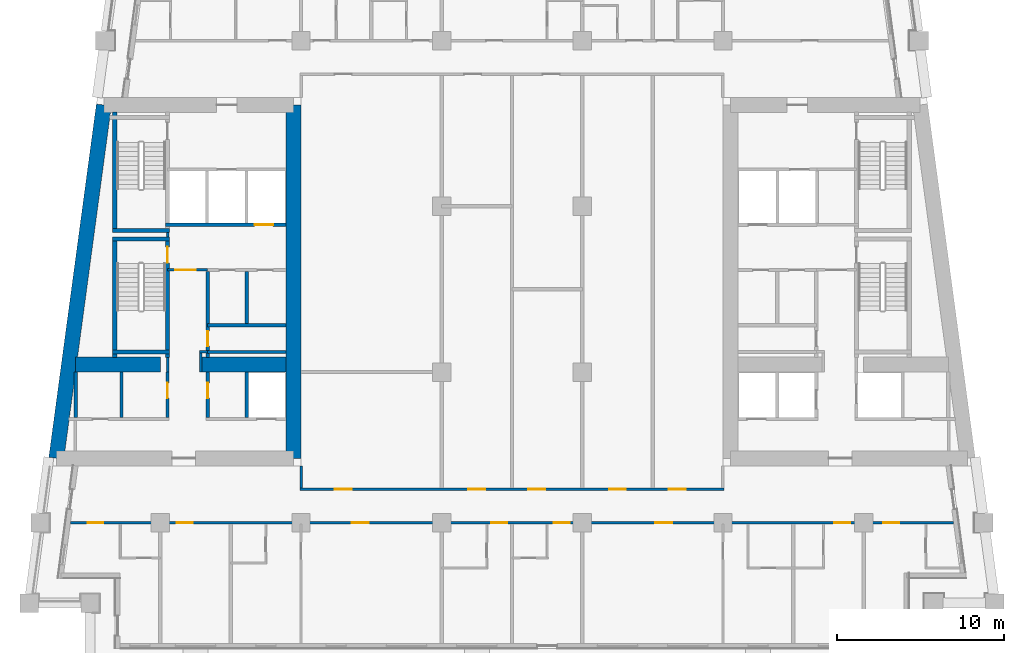
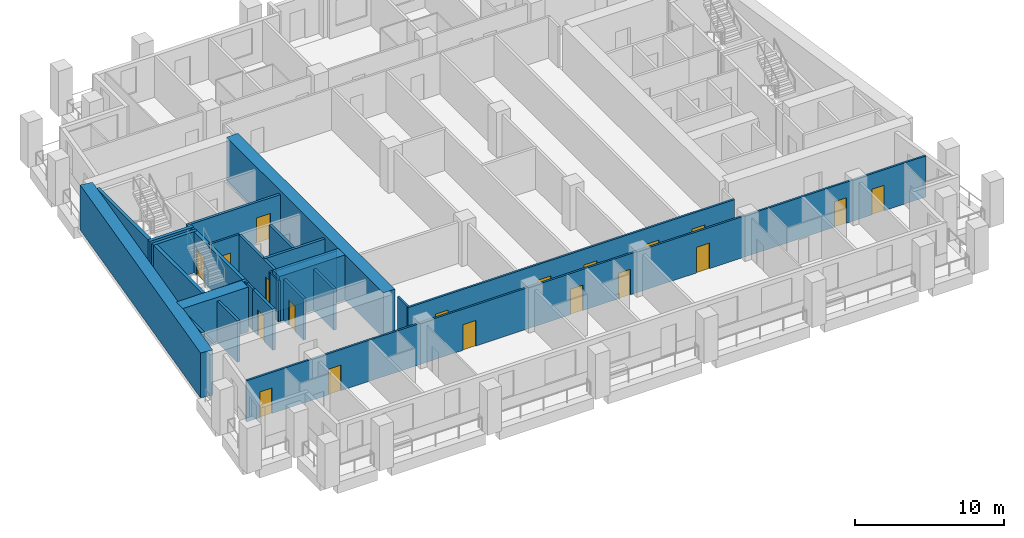
# One storey, part 3 of 12: 28 walls, 19 doors, 19 openings.
"""IFC4 building model written with IfcOpenShell, lengths in metres."""

from ifc_helpers import new_model, si_unit, direction, frame, frame_2d, origin, place, context, subcontext, project, spatial, rectangle, extrude, material, layer, layer_set, type_object, element, fill, save


model = new_model("IFC4")

# Units and contexts
model_context = context("Model", 3, precision=1e-05, world=origin(), true_north=direction((0.0, 1.0)))
body_context = subcontext(model_context, "Body", "Model", "MODEL_VIEW")
ifc_project = project(units=[si_unit("LENGTHUNIT", "METRE"), si_unit("AREAUNIT", "SQUARE_METRE"), si_unit("VOLUMEUNIT", "CUBIC_METRE"), si_unit("PLANEANGLEUNIT", "RADIAN"), si_unit("MASSUNIT", "GRAM", prefix="KILO")], contexts=[model_context])

# Site, building, storey
site_placement = place(None, origin())
site = spatial("IfcSite", under=ifc_project, at=site_placement, CompositionType="ELEMENT")
building_placement = place(site_placement, origin())
building = spatial("IfcBuilding", under=site, at=building_placement, Name="Candeia Pilgrim Tower and Theatre", CompositionType="ELEMENT")
storey_placement = place(building_placement, frame((0.0, 0.0, 162.60009765625)))
storey = spatial("IfcBuildingStorey", under=building, at=storey_placement, Name="L38", CompositionType="ELEMENT", Elevation=162.60009765625)

# Walls
ifc_material_1 = material(Name="Concrete C60/75", Category="concrete")
ifc_layer_1 = layer(ifc_material_1, 0.89990234375)
ifc_layer_set_1 = layer_set([ifc_layer_1], Name="Core wall 900 C60/75")
wall_type_1 = type_object("IfcWallType", Name="Core wall 900 C60/75", PredefinedType="SHEAR", material=ifc_layer_set_1)
wall_1_placement = place(storey_placement, frame((100.35009765625, 131.949951171875, 0.0), z_axis=(0.0, 0.0, 1.0), x_axis=(0.0, -1.0, 0.0)))
element("IfcWall", 1, at=wall_1_placement, inside=storey, type_object=wall_type_1, Name="Core wall W2", PredefinedType="SHEAR", context=body_context, shape_type="SweptSolid", body=[
    extrude(rectangle(XDim=21.099853515625, YDim=0.89990234375, at=frame_2d((10.5498046875, 0.0))), origin(), (0.0, 0.0, 1.0), 3.699951171875),
])
wall_2_placement = place(storey_placement, frame((86.183837890625, 110.85009765625, 0.0), z_axis=(0.0, 0.0, 1.0), x_axis=(0.133410495943, 0.991060865725, 0.0)))
element("IfcWall", 2, at=wall_2_placement, inside=storey, type_object=wall_type_1, Name="Core wall W4", PredefinedType="SHEAR", context=body_context, shape_type="SweptSolid", body=[
    extrude(rectangle(XDim=21.290283203125, YDim=0.89990234375, at=frame_2d((10.64501953125, 0.0))), origin(), (0.0, 0.0, 1.0), 3.699951171875),
])
wall_3_placement = place(storey_placement, frame((87.322998046875, 116.449951171875, 0.0), z_axis=(0.0, 0.0, 1.0), x_axis=(1.0, 0.0, 0.0)))
element("IfcWall", 3, at=wall_3_placement, inside=storey, type_object=wall_type_1, Name="Core wall W5", PredefinedType="SHEAR", context=body_context, shape_type="SweptSolid", body=[
    extrude(rectangle(XDim=5.076904296875, YDim=0.89990234375, at=frame_2d((2.53857421875, 0.0))), origin(), (0.0, 0.0, 1.0), 3.699951171875),
])
wall_4_placement = place(storey_placement, frame((94.800048828125, 116.449951171875, 0.0), z_axis=(0.0, 0.0, 1.0), x_axis=(1.0, 0.0, 0.0)))
element("IfcWall", 4, at=wall_4_placement, inside=storey, type_object=wall_type_1, Name="Core wall W6", PredefinedType="SHEAR", context=body_context, shape_type="SweptSolid", body=[
    extrude(rectangle(XDim=5.099853515625, YDim=0.89990234375, at=frame_2d((2.5498046875, 0.0))), origin(), (0.0, 0.0, 1.0), 3.699951171875),
])
ifc_material_2 = material(Name="Gypsum board partition on steel studs", Category="steel")
ifc_layer_2 = layer(ifc_material_2, 0.14990234375)
ifc_layer_set_2 = layer_set([ifc_layer_2], Name="PW-150 lobby wall")
wall_type_2 = type_object("IfcWallType", Name="PW-150 lobby wall", PredefinedType="PARTITIONING", material=ifc_layer_set_2)
wall_5_placement = place(storey_placement, frame((94.72509765625, 117.199951171875, 0.0), z_axis=(0.0, 0.0, 1.0), x_axis=(1.0, 0.0, 0.0)))
element("IfcWall", 5, at=wall_5_placement, inside=storey, type_object=wall_type_2, Name="Lobby wall L38-016", PredefinedType="PARTITIONING", context=body_context, shape_type="SweptSolid", body=[
    extrude(rectangle(XDim=0.501953125, YDim=0.14990234375, at=frame_2d((0.2509765625, 0.0))), origin(), (0.0, 0.0, 1.0), 3.3798828125),
])

# Wall, opening, door
wall_6_placement = place(storey_placement, frame((92.826904296875, 122.10009765625, 0.0), z_axis=(0.0, 0.0, 1.0), x_axis=(1.0, 0.0, 0.0)))
wall_6 = element("IfcWall", 6, at=wall_6_placement, inside=storey, type_object=wall_type_2, Name="Lobby wall L38-025", PredefinedType="PARTITIONING", context=body_context, shape_type="SweptSolid", body=[
    extrude(rectangle(XDim=2.400146484375, YDim=0.14990234375, at=frame_2d((1.2001953125, 0.0))), origin(), (0.0, 0.0, 1.0), 3.3798828125),
])
opening_1_placement = place(wall_6_placement, frame((0.47509765625, 0.0, 0.0)))
opening_1 = element("IfcOpeningElement", 7, at=opening_1_placement, cuts=wall_6, Name="Opening L38-D001", PredefinedType="OPENING", context=body_context, shape_type="SweptSolid", body=[
    extrude(rectangle(XDim=1.199951171875, YDim=2.10009765625, at=frame_2d((0.60009765625, 1.050048828125))), frame((0.0, 0.0849609375, 0.0), z_axis=(0.0, -1.0, 0.0), x_axis=(1.0, 0.0, 0.0)), (0.0, 0.0, 1.0), 0.169921875),
])
ifc_material_3 = material(Name="Steel fire door set", Category="steel")
door_type_1 = type_object("IfcDoorType", Name="D-1200-FD60", OperationType="NOTDEFINED", PredefinedType="DOOR", material=ifc_material_3)
door_1_placement = place(opening_1_placement, origin())
door_1 = element("IfcDoor", 8, at=door_1_placement, inside=storey, type_object=door_type_1, Name="Door L38-D001", OperationType="SINGLE_SWING_LEFT", OverallHeight=2.10009765625, OverallWidth=1.199951171875, PredefinedType="DOOR", context=body_context, shape_type="SweptSolid", body=[
    extrude(rectangle(XDim=1.199951171875, YDim=2.10009765625, at=frame_2d((0.60009765625, 1.050048828125))), frame((0.0, 0.02490234375, 0.0), z_axis=(0.0, -1.0, 0.0), x_axis=(1.0, 0.0, 0.0)), (0.0, 0.0, 1.0), 0.050048828125),
])
fill(opening_1, door_1)

# Walls
wall_7_placement = place(storey_placement, frame((92.826904296875, 116.0, 0.0), z_axis=(0.0, 0.0, 1.0), x_axis=(0.0, 1.0, 0.0)))
element("IfcWall", 9, at=wall_7_placement, inside=storey, type_object=wall_type_2, Name="Lobby wall L38-056", PredefinedType="PARTITIONING", context=body_context, shape_type="SweptSolid", body=[
    extrude(rectangle(XDim=0.8701171875, YDim=0.14990234375, at=frame_2d((0.43505859375, 0.0))), origin(), (0.0, 0.0, 1.0), 3.3798828125),
])
wall_8_placement = place(storey_placement, frame((92.826904296875, 124.074951171875, 0.0), z_axis=(0.0, 0.0, 1.0), x_axis=(0.0, 1.0, 0.0)))
element("IfcWall", 10, at=wall_8_placement, inside=storey, type_object=wall_type_2, Name="Lobby wall L38-057", PredefinedType="PARTITIONING", context=body_context, shape_type="SweptSolid", body=[
    extrude(rectangle(XDim=0.25, YDim=0.14990234375, at=frame_2d((0.125, 0.0))), origin(), (0.0, 0.0, 1.0), 3.3798828125),
])
wall_9_placement = place(storey_placement, frame((94.800048828125, 116.0, 0.0), z_axis=(0.0, 0.0, 1.0), x_axis=(0.0, 1.0, 0.0)))
element("IfcWall", 11, at=wall_9_placement, inside=storey, type_object=wall_type_2, Name="Lobby wall L38-061", PredefinedType="PARTITIONING", context=body_context, shape_type="SweptSolid", body=[
    extrude(rectangle(XDim=1.125, YDim=0.14990234375, at=frame_2d((0.5625, 0.0))), origin(), (0.0, 0.0, 1.0), 3.3798828125),
])

# Wall, openings, doors
ifc_layer_3 = layer(ifc_material_2, 0.14990234375)
ifc_layer_set_3 = layer_set([ifc_layer_3], Name="PW-150 unit wall")
wall_type_3 = type_object("IfcWallType", Name="PW-150 unit wall", PredefinedType="PARTITIONING", material=ifc_layer_set_3)
wall_10_placement = place(storey_placement, frame((87.017578125, 107.0, 0.0), z_axis=(0.0, 0.0, 1.0), x_axis=(1.0, 0.0, 0.0)))
wall_10 = element("IfcWall", 12, at=wall_10_placement, inside=storey, type_object=wall_type_3, Name="Unit wall L38-007", PredefinedType="PARTITIONING", context=body_context, shape_type="SweptSolid", body=[
    extrude(rectangle(XDim=52.7646484375, YDim=0.14990234375, at=frame_2d((26.38232421875, 0.0))), origin(), (0.0, 0.0, 1.0), 3.3798828125),
])
opening_2_placement = place(wall_10_placement, frame((1.0322265625, 0.0, 0.0)))
opening_2 = element("IfcOpeningElement", 13, at=opening_2_placement, cuts=wall_10, Name="Opening L38-D017", PredefinedType="OPENING", context=body_context, shape_type="SweptSolid", body=[
    extrude(rectangle(XDim=0.949951171875, YDim=2.10009765625, at=frame_2d((0.47509765625, 1.050048828125))), frame((0.0, 0.0849609375, 0.0), z_axis=(0.0, -1.0, 0.0), x_axis=(1.0, 0.0, 0.0)), (0.0, 0.0, 1.0), 0.169921875),
])
opening_3_placement = place(wall_10_placement, frame((6.369384765625, 0.0, 0.0)))
opening_3 = element("IfcOpeningElement", 14, at=opening_3_placement, cuts=wall_10, Name="Opening L38-D019", PredefinedType="OPENING", context=body_context, shape_type="SweptSolid", body=[
    extrude(rectangle(XDim=0.949951171875, YDim=2.10009765625, at=frame_2d((0.47509765625, 1.050048828125))), frame((0.0, 0.0849609375, 0.0), z_axis=(0.0, -1.0, 0.0), x_axis=(1.0, 0.0, 0.0)), (0.0, 0.0, 1.0), 0.169921875),
])
opening_4_placement = place(wall_10_placement, frame((16.812255859375, 0.0, 0.0)))
opening_4 = element("IfcOpeningElement", 15, at=opening_4_placement, cuts=wall_10, Name="Opening L38-D020", PredefinedType="OPENING", context=body_context, shape_type="SweptSolid", body=[
    extrude(rectangle(XDim=1.0, YDim=2.10009765625, at=frame_2d((0.5, 1.050048828125))), frame((0.0, 0.0849609375, 0.0), z_axis=(0.0, -1.0, 0.0), x_axis=(1.0, 0.0, 0.0)), (0.0, 0.0, 1.0), 0.169921875),
])
opening_5_placement = place(wall_10_placement, frame((25.1572265625, 0.0, 0.0)))
opening_5 = element("IfcOpeningElement", 16, at=opening_5_placement, cuts=wall_10, Name="Opening L38-D023", PredefinedType="OPENING", context=body_context, shape_type="SweptSolid", body=[
    extrude(rectangle(XDim=0.949951171875, YDim=2.10009765625, at=frame_2d((0.47509765625, 1.050048828125))), frame((0.0, 0.0849609375, 0.0), z_axis=(0.0, -1.0, 0.0), x_axis=(1.0, 0.0, 0.0)), (0.0, 0.0, 1.0), 0.169921875),
])
opening_6_placement = place(wall_10_placement, frame((28.8671875, 0.0, 0.0)))
opening_6 = element("IfcOpeningElement", 17, at=opening_6_placement, cuts=wall_10, Name="Opening L38-D025", PredefinedType="OPENING", context=body_context, shape_type="SweptSolid", body=[
    extrude(rectangle(XDim=0.949951171875, YDim=2.10009765625, at=frame_2d((0.47509765625, 1.050048828125))), frame((0.0, 0.0849609375, 0.0), z_axis=(0.0, -1.0, 0.0), x_axis=(1.0, 0.0, 0.0)), (0.0, 0.0, 1.0), 0.169921875),
])
opening_7_placement = place(wall_10_placement, frame((34.952392578125, 0.0, 0.0)))
opening_7 = element("IfcOpeningElement", 18, at=opening_7_placement, cuts=wall_10, Name="Opening L38-D027", PredefinedType="OPENING", context=body_context, shape_type="SweptSolid", body=[
    extrude(rectangle(XDim=1.0, YDim=2.10009765625, at=frame_2d((0.5, 1.050048828125))), frame((0.0, 0.0849609375, 0.0), z_axis=(0.0, -1.0, 0.0), x_axis=(1.0, 0.0, 0.0)), (0.0, 0.0, 1.0), 0.169921875),
])
opening_8_placement = place(wall_10_placement, frame((45.63232421875, 0.0, 0.0)))
opening_8 = element("IfcOpeningElement", 19, at=opening_8_placement, cuts=wall_10, Name="Opening L38-D030", PredefinedType="OPENING", context=body_context, shape_type="SweptSolid", body=[
    extrude(rectangle(XDim=0.949951171875, YDim=2.10009765625, at=frame_2d((0.47509765625, 1.050048828125))), frame((0.0, 0.0849609375, 0.0), z_axis=(0.0, -1.0, 0.0), x_axis=(1.0, 0.0, 0.0)), (0.0, 0.0, 1.0), 0.169921875),
])
opening_9_placement = place(wall_10_placement, frame((48.560302734375, 0.0, 0.0)))
opening_9 = element("IfcOpeningElement", 20, at=opening_9_placement, cuts=wall_10, Name="Opening L38-D032", PredefinedType="OPENING", context=body_context, shape_type="SweptSolid", body=[
    extrude(rectangle(XDim=0.949951171875, YDim=2.10009765625, at=frame_2d((0.47509765625, 1.050048828125))), frame((0.0, 0.0849609375, 0.0), z_axis=(0.0, -1.0, 0.0), x_axis=(1.0, 0.0, 0.0)), (0.0, 0.0, 1.0), 0.169921875),
])
door_type_2 = type_object("IfcDoorType", Name="D-1000-FD30S", OperationType="NOTDEFINED", PredefinedType="DOOR", material=ifc_material_3)
door_2_placement = place(opening_4_placement, origin())
door_2 = element("IfcDoor", 21, at=door_2_placement, inside=storey, type_object=door_type_2, Name="Door L38-D020", OperationType="SINGLE_SWING_RIGHT", OverallHeight=2.10009765625, OverallWidth=1.0, PredefinedType="DOOR", context=body_context, shape_type="SweptSolid", body=[
    extrude(rectangle(XDim=1.0, YDim=2.10009765625, at=frame_2d((0.5, 1.050048828125))), frame((0.0, 0.02490234375, 0.0), z_axis=(0.0, -1.0, 0.0), x_axis=(1.0, 0.0, 0.0)), (0.0, 0.0, 1.0), 0.050048828125),
])
fill(opening_4, door_2)
door_3_placement = place(opening_7_placement, origin())
door_3 = element("IfcDoor", 22, at=door_3_placement, inside=storey, type_object=door_type_2, Name="Door L38-D027", OperationType="SINGLE_SWING_LEFT", OverallHeight=2.10009765625, OverallWidth=1.0, PredefinedType="DOOR", context=body_context, shape_type="SweptSolid", body=[
    extrude(rectangle(XDim=1.0, YDim=2.10009765625, at=frame_2d((0.5, 1.050048828125))), frame((0.0, 0.02490234375, 0.0), z_axis=(0.0, -1.0, 0.0), x_axis=(1.0, 0.0, 0.0)), (0.0, 0.0, 1.0), 0.050048828125),
])
fill(opening_7, door_3)
door_type_3 = type_object("IfcDoorType", Name="D-950-FD30S", OperationType="NOTDEFINED", PredefinedType="DOOR", material=ifc_material_3)
door_4_placement = place(opening_2_placement, origin())
door_4 = element("IfcDoor", 23, at=door_4_placement, inside=storey, type_object=door_type_3, Name="Door L38-D017", OperationType="SINGLE_SWING_LEFT", OverallHeight=2.10009765625, OverallWidth=0.949951171875, PredefinedType="DOOR", context=body_context, shape_type="SweptSolid", body=[
    extrude(rectangle(XDim=0.949951171875, YDim=2.10009765625, at=frame_2d((0.47509765625, 1.050048828125))), frame((0.0, 0.02490234375, 0.0), z_axis=(0.0, -1.0, 0.0), x_axis=(1.0, 0.0, 0.0)), (0.0, 0.0, 1.0), 0.050048828125),
])
fill(opening_2, door_4)
door_5_placement = place(opening_3_placement, origin())
door_5 = element("IfcDoor", 24, at=door_5_placement, inside=storey, type_object=door_type_3, Name="Door L38-D019", OperationType="SINGLE_SWING_LEFT", OverallHeight=2.10009765625, OverallWidth=0.949951171875, PredefinedType="DOOR", context=body_context, shape_type="SweptSolid", body=[
    extrude(rectangle(XDim=0.949951171875, YDim=2.10009765625, at=frame_2d((0.47509765625, 1.050048828125))), frame((0.0, 0.02490234375, 0.0), z_axis=(0.0, -1.0, 0.0), x_axis=(1.0, 0.0, 0.0)), (0.0, 0.0, 1.0), 0.050048828125),
])
fill(opening_3, door_5)
door_6_placement = place(opening_5_placement, origin())
door_6 = element("IfcDoor", 25, at=door_6_placement, inside=storey, type_object=door_type_3, Name="Door L38-D023", OperationType="SINGLE_SWING_LEFT", OverallHeight=2.10009765625, OverallWidth=0.949951171875, PredefinedType="DOOR", context=body_context, shape_type="SweptSolid", body=[
    extrude(rectangle(XDim=0.949951171875, YDim=2.10009765625, at=frame_2d((0.47509765625, 1.050048828125))), frame((0.0, 0.02490234375, 0.0), z_axis=(0.0, -1.0, 0.0), x_axis=(1.0, 0.0, 0.0)), (0.0, 0.0, 1.0), 0.050048828125),
])
fill(opening_5, door_6)
door_7_placement = place(opening_6_placement, origin())
door_7 = element("IfcDoor", 26, at=door_7_placement, inside=storey, type_object=door_type_3, Name="Door L38-D025", OperationType="SINGLE_SWING_LEFT", OverallHeight=2.10009765625, OverallWidth=0.949951171875, PredefinedType="DOOR", context=body_context, shape_type="SweptSolid", body=[
    extrude(rectangle(XDim=0.949951171875, YDim=2.10009765625, at=frame_2d((0.47509765625, 1.050048828125))), frame((0.0, 0.02490234375, 0.0), z_axis=(0.0, -1.0, 0.0), x_axis=(1.0, 0.0, 0.0)), (0.0, 0.0, 1.0), 0.050048828125),
])
fill(opening_6, door_7)
door_8_placement = place(opening_8_placement, origin())
door_8 = element("IfcDoor", 27, at=door_8_placement, inside=storey, type_object=door_type_3, Name="Door L38-D030", OperationType="SINGLE_SWING_RIGHT", OverallHeight=2.10009765625, OverallWidth=0.949951171875, PredefinedType="DOOR", context=body_context, shape_type="SweptSolid", body=[
    extrude(rectangle(XDim=0.949951171875, YDim=2.10009765625, at=frame_2d((0.47509765625, 1.050048828125))), frame((0.0, 0.02490234375, 0.0), z_axis=(0.0, -1.0, 0.0), x_axis=(1.0, 0.0, 0.0)), (0.0, 0.0, 1.0), 0.050048828125),
])
fill(opening_8, door_8)
door_9_placement = place(opening_9_placement, origin())
door_9 = element("IfcDoor", 28, at=door_9_placement, inside=storey, type_object=door_type_3, Name="Door L38-D032", OperationType="SINGLE_SWING_RIGHT", OverallHeight=2.10009765625, OverallWidth=0.949951171875, PredefinedType="DOOR", context=body_context, shape_type="SweptSolid", body=[
    extrude(rectangle(XDim=0.949951171875, YDim=2.10009765625, at=frame_2d((0.47509765625, 1.050048828125))), frame((0.0, 0.02490234375, 0.0), z_axis=(0.0, -1.0, 0.0), x_axis=(1.0, 0.0, 0.0)), (0.0, 0.0, 1.0), 0.050048828125),
])
fill(opening_9, door_9)

wall_11_placement = place(storey_placement, frame((100.72509765625, 109.0, 0.0), z_axis=(0.0, 0.0, 1.0), x_axis=(1.0, 0.0, 0.0)))
wall_11 = element("IfcWall", 29, at=wall_11_placement, inside=storey, type_object=wall_type_3, Name="Unit wall L38-008", PredefinedType="PARTITIONING", context=body_context, shape_type="SweptSolid", body=[
    extrude(rectangle(XDim=25.349853515625, YDim=0.14990234375, at=frame_2d((12.6748046875, 0.0))), origin(), (0.0, 0.0, 1.0), 3.3798828125),
])
opening_10_placement = place(wall_11_placement, frame((2.10009765625, 0.0, 0.0)))
opening_10 = element("IfcOpeningElement", 30, at=opening_10_placement, cuts=wall_11, Name="Opening L38-D048", PredefinedType="OPENING", context=body_context, shape_type="SweptSolid", body=[
    extrude(rectangle(XDim=1.0, YDim=2.10009765625, at=frame_2d((0.5, 1.050048828125))), frame((0.0, 0.0849609375, 0.0), z_axis=(0.0, -1.0, 0.0), x_axis=(1.0, 0.0, 0.0)), (0.0, 0.0, 1.0), 0.169921875),
])
opening_11_placement = place(wall_11_placement, frame((10.074951171875, 0.0, 0.0)))
opening_11 = element("IfcOpeningElement", 31, at=opening_11_placement, cuts=wall_11, Name="Opening L38-D050", PredefinedType="OPENING", context=body_context, shape_type="SweptSolid", body=[
    extrude(rectangle(XDim=1.0, YDim=2.10009765625, at=frame_2d((0.5, 1.050048828125))), frame((0.0, 0.0849609375, 0.0), z_axis=(0.0, -1.0, 0.0), x_axis=(1.0, 0.0, 0.0)), (0.0, 0.0, 1.0), 0.169921875),
])
opening_12_placement = place(wall_11_placement, frame((13.64990234375, 0.0, 0.0)))
opening_12 = element("IfcOpeningElement", 32, at=opening_12_placement, cuts=wall_11, Name="Opening L38-D052", PredefinedType="OPENING", context=body_context, shape_type="SweptSolid", body=[
    extrude(rectangle(XDim=1.0, YDim=2.10009765625, at=frame_2d((0.5, 1.050048828125))), frame((0.0, 0.0849609375, 0.0), z_axis=(0.0, -1.0, 0.0), x_axis=(1.0, 0.0, 0.0)), (0.0, 0.0, 1.0), 0.169921875),
])
opening_13_placement = place(wall_11_placement, frame((18.47509765625, 0.0, 0.0)))
opening_13 = element("IfcOpeningElement", 33, at=opening_13_placement, cuts=wall_11, Name="Opening L38-D054", PredefinedType="OPENING", context=body_context, shape_type="SweptSolid", body=[
    extrude(rectangle(XDim=1.0, YDim=2.10009765625, at=frame_2d((0.5, 1.050048828125))), frame((0.0, 0.0849609375, 0.0), z_axis=(0.0, -1.0, 0.0), x_axis=(1.0, 0.0, 0.0)), (0.0, 0.0, 1.0), 0.169921875),
])
opening_14_placement = place(wall_11_placement, frame((22.050048828125, 0.0, 0.0)))
opening_14 = element("IfcOpeningElement", 34, at=opening_14_placement, cuts=wall_11, Name="Opening L38-D055", PredefinedType="OPENING", context=body_context, shape_type="SweptSolid", body=[
    extrude(rectangle(XDim=1.0, YDim=2.10009765625, at=frame_2d((0.5, 1.050048828125))), frame((0.0, 0.0849609375, 0.0), z_axis=(0.0, -1.0, 0.0), x_axis=(1.0, 0.0, 0.0)), (0.0, 0.0, 1.0), 0.169921875),
])
door_10_placement = place(opening_10_placement, origin())
door_10 = element("IfcDoor", 35, at=door_10_placement, inside=storey, type_object=door_type_2, Name="Door L38-D048", OperationType="SINGLE_SWING_RIGHT", OverallHeight=2.10009765625, OverallWidth=1.0, PredefinedType="DOOR", context=body_context, shape_type="SweptSolid", body=[
    extrude(rectangle(XDim=1.0, YDim=2.10009765625, at=frame_2d((0.5, 1.050048828125))), frame((0.0, 0.02490234375, 0.0), z_axis=(0.0, -1.0, 0.0), x_axis=(1.0, 0.0, 0.0)), (0.0, 0.0, 1.0), 0.050048828125),
])
fill(opening_10, door_10)
door_11_placement = place(opening_11_placement, origin())
door_11 = element("IfcDoor", 36, at=door_11_placement, inside=storey, type_object=door_type_2, Name="Door L38-D050", OperationType="SINGLE_SWING_RIGHT", OverallHeight=2.10009765625, OverallWidth=1.0, PredefinedType="DOOR", context=body_context, shape_type="SweptSolid", body=[
    extrude(rectangle(XDim=1.0, YDim=2.10009765625, at=frame_2d((0.5, 1.050048828125))), frame((0.0, 0.02490234375, 0.0), z_axis=(0.0, -1.0, 0.0), x_axis=(1.0, 0.0, 0.0)), (0.0, 0.0, 1.0), 0.050048828125),
])
fill(opening_11, door_11)
door_12_placement = place(opening_12_placement, origin())
door_12 = element("IfcDoor", 37, at=door_12_placement, inside=storey, type_object=door_type_2, Name="Door L38-D052", OperationType="SINGLE_SWING_RIGHT", OverallHeight=2.10009765625, OverallWidth=1.0, PredefinedType="DOOR", context=body_context, shape_type="SweptSolid", body=[
    extrude(rectangle(XDim=1.0, YDim=2.10009765625, at=frame_2d((0.5, 1.050048828125))), frame((0.0, 0.02490234375, 0.0), z_axis=(0.0, -1.0, 0.0), x_axis=(1.0, 0.0, 0.0)), (0.0, 0.0, 1.0), 0.050048828125),
])
fill(opening_12, door_12)
door_13_placement = place(opening_13_placement, origin())
door_13 = element("IfcDoor", 38, at=door_13_placement, inside=storey, type_object=door_type_2, Name="Door L38-D054", OperationType="SINGLE_SWING_RIGHT", OverallHeight=2.10009765625, OverallWidth=1.0, PredefinedType="DOOR", context=body_context, shape_type="SweptSolid", body=[
    extrude(rectangle(XDim=1.0, YDim=2.10009765625, at=frame_2d((0.5, 1.050048828125))), frame((0.0, 0.02490234375, 0.0), z_axis=(0.0, -1.0, 0.0), x_axis=(1.0, 0.0, 0.0)), (0.0, 0.0, 1.0), 0.050048828125),
])
fill(opening_13, door_13)
door_14_placement = place(opening_14_placement, origin())
door_14 = element("IfcDoor", 39, at=door_14_placement, inside=storey, type_object=door_type_2, Name="Door L38-D055", OperationType="SINGLE_SWING_LEFT", OverallHeight=2.10009765625, OverallWidth=1.0, PredefinedType="DOOR", context=body_context, shape_type="SweptSolid", body=[
    extrude(rectangle(XDim=1.0, YDim=2.10009765625, at=frame_2d((0.5, 1.050048828125))), frame((0.0, 0.02490234375, 0.0), z_axis=(0.0, -1.0, 0.0), x_axis=(1.0, 0.0, 0.0)), (0.0, 0.0, 1.0), 0.050048828125),
])
fill(opening_14, door_14)

# Walls
wall_12_placement = place(storey_placement, frame((100.800048828125, 109.074951171875, 0.0), z_axis=(0.0, 0.0, 1.0), x_axis=(0.0, 1.0, 0.0)))
element("IfcWall", 40, at=wall_12_placement, inside=storey, type_object=wall_type_3, Name="Unit wall L38-073", PredefinedType="PARTITIONING", context=body_context, shape_type="SweptSolid", body=[
    extrude(rectangle(XDim=1.324951171875, YDim=0.14990234375, at=frame_2d((0.66259765625, 0.0))), origin(), (0.0, 0.0, 1.0), 3.3798828125),
])
ifc_material_4 = material(Name="Concrete C40/50", Category="concrete")
ifc_layer_4 = layer(ifc_material_4, 0.199951171875)
ifc_layer_set_4 = layer_set([ifc_layer_4], Name="SW-200 shaft wall")
wall_type_4 = type_object("IfcWallType", Name="SW-200 shaft wall", PredefinedType="PARTITIONING", material=ifc_layer_set_4)
for number, where, z_axis, x_axis, name in (
    (41, (95.22705078125, 117.199951171875, 0.0), (0.0, 0.0, 1.0), (1.0, 0.0, 0.0), "Shaft wall L38-014"),
    (42, (95.22705078125, 118.800048828125, 0.0), (0.0, 0.0, 1.0), (1.0, 0.0, 0.0), "Shaft wall L38-020"),
):
    element("IfcWall", number, at=place(storey_placement, frame(where, z_axis=z_axis, x_axis=x_axis)), inside=storey, type_object=wall_type_4, Name=name, PredefinedType="PARTITIONING", context=body_context, shape_type="SweptSolid", body=[
        extrude(rectangle(XDim=4.6728515625, YDim=0.199951171875, at=frame_2d((2.33642578125, 0.0))), origin(), (0.0, 0.0, 1.0), 3.3798828125),
    ])

# Wall, opening, door
wall_13_placement = place(storey_placement, frame((92.701904296875, 124.800048828125, 0.0), z_axis=(0.0, 0.0, 1.0), x_axis=(1.0, 0.0, 0.0)))
wall_13 = element("IfcWall", 43, at=wall_13_placement, inside=storey, type_object=wall_type_4, Name="Shaft wall L38-031", PredefinedType="PARTITIONING", context=body_context, shape_type="SweptSolid", body=[
    extrude(rectangle(XDim=7.197998046875, YDim=0.199951171875, at=frame_2d((3.59912109375, 0.0))), origin(), (0.0, 0.0, 1.0), 3.3798828125),
])
opening_15_placement = place(wall_13_placement, frame((5.330078125, 0.0, 0.0)))
opening_15 = element("IfcOpeningElement", 44, at=opening_15_placement, cuts=wall_13, Name="Opening L38-LD02", PredefinedType="OPENING", context=body_context, shape_type="SweptSolid", body=[
    extrude(rectangle(XDim=1.10009765625, YDim=2.10009765625, at=frame_2d((0.550048828125, 1.050048828125))), frame((0.0, 0.10986328125, 0.0), z_axis=(0.0, -1.0, 0.0), x_axis=(1.0, 0.0, 0.0)), (0.0, 0.0, 1.0), 0.219970703125),
])
ifc_material_5 = material(Name="Glazed aluminium landing door", Category="aluminium")
door_type_4 = type_object("IfcDoorType", Name="LD-1100-EI120", OperationType="SLIDING_TO_LEFT", PredefinedType="DOOR", material=ifc_material_5)
door_15_placement = place(opening_15_placement, origin())
door_15 = element("IfcDoor", 45, at=door_15_placement, inside=storey, type_object=door_type_4, Name="Landing door 02 L38", OperationType="SLIDING_TO_LEFT", OverallHeight=2.10009765625, OverallWidth=1.10009765625, PredefinedType="DOOR", context=body_context, shape_type="SweptSolid", body=[
    extrude(rectangle(XDim=1.10009765625, YDim=2.10009765625, at=frame_2d((0.550048828125, 1.050048828125))), frame((0.0, 0.02490234375, 0.0), z_axis=(0.0, -1.0, 0.0), x_axis=(1.0, 0.0, 0.0)), (0.0, 0.0, 1.0), 0.050048828125),
])
fill(opening_15, door_15)

# Walls
for number, where, z_axis, x_axis, name in (
    (46, (87.350341796875, 113.300048828125, 0.0), (0.0, 0.0, 1.0), (0.0, 1.0, 0.0), "Shaft wall L38-048"),
    (47, (90.077392578125, 113.300048828125, 0.0), (0.0, 0.0, 1.0), (0.0, 1.0, 0.0), "Shaft wall L38-053"),
):
    element("IfcWall", number, at=place(storey_placement, frame(where, z_axis=z_axis, x_axis=x_axis)), inside=storey, type_object=wall_type_4, Name=name, PredefinedType="PARTITIONING", context=body_context, shape_type="SweptSolid", body=[
        extrude(rectangle(XDim=2.699951171875, YDim=0.199951171875, at=frame_2d((1.35009765625, 0.0))), origin(), (0.0, 0.0, 1.0), 3.3798828125),
    ])

# Wall, opening, door
wall_14_placement = place(storey_placement, frame((92.826904296875, 113.300048828125, 0.0), z_axis=(0.0, 0.0, 1.0), x_axis=(0.0, 1.0, 0.0)))
wall_14 = element("IfcWall", 48, at=wall_14_placement, inside=storey, type_object=wall_type_4, Name="Shaft wall L38-055", PredefinedType="PARTITIONING", context=body_context, shape_type="SweptSolid", body=[
    extrude(rectangle(XDim=2.699951171875, YDim=0.199951171875, at=frame_2d((1.35009765625, 0.0))), origin(), (0.0, 0.0, 1.0), 3.3798828125),
])
opening_16_placement = place(wall_14_placement, frame((1.14990234375, 0.0, 0.0)))
opening_16 = element("IfcOpeningElement", 49, at=opening_16_placement, cuts=wall_14, Name="Opening L38-D008", PredefinedType="OPENING", context=body_context, shape_type="SweptSolid", body=[
    extrude(rectangle(XDim=0.89990234375, YDim=2.10009765625, at=frame_2d((0.449951171875, 1.050048828125))), frame((0.0, 0.10986328125, 0.0), z_axis=(0.0, -1.0, 0.0), x_axis=(1.0, 0.0, 0.0)), (0.0, 0.0, 1.0), 0.219970703125),
])
door_type_5 = type_object("IfcDoorType", Name="D-900-FD60", OperationType="NOTDEFINED", PredefinedType="DOOR", material=ifc_material_3)
door_16_placement = place(opening_16_placement, origin())
door_16 = element("IfcDoor", 50, at=door_16_placement, inside=storey, type_object=door_type_5, Name="Door L38-D008", OperationType="SINGLE_SWING_LEFT", OverallHeight=2.10009765625, OverallWidth=0.89990234375, PredefinedType="DOOR", context=body_context, shape_type="SweptSolid", body=[
    extrude(rectangle(XDim=0.89990234375, YDim=2.10009765625, at=frame_2d((0.449951171875, 1.050048828125))), frame((0.0, 0.02490234375, 0.0), z_axis=(0.0, -1.0, 0.0), x_axis=(1.0, 0.0, 0.0)), (0.0, 0.0, 1.0), 0.050048828125),
])
fill(opening_16, door_16)

wall_15_placement = place(storey_placement, frame((95.22705078125, 113.300048828125, 0.0), z_axis=(0.0, 0.0, 1.0), x_axis=(0.0, 1.0, 0.0)))
wall_15 = element("IfcWall", 51, at=wall_15_placement, inside=storey, type_object=wall_type_4, Name="Shaft wall L38-063", PredefinedType="PARTITIONING", context=body_context, shape_type="SweptSolid", body=[
    extrude(rectangle(XDim=2.699951171875, YDim=0.199951171875, at=frame_2d((1.35009765625, 0.0))), origin(), (0.0, 0.0, 1.0), 3.3798828125),
])
opening_17_placement = place(wall_15_placement, frame((1.14990234375, 0.0, 0.0)))
opening_17 = element("IfcOpeningElement", 52, at=opening_17_placement, cuts=wall_15, Name="Opening L38-D009", PredefinedType="OPENING", context=body_context, shape_type="SweptSolid", body=[
    extrude(rectangle(XDim=0.89990234375, YDim=2.10009765625, at=frame_2d((0.449951171875, 1.050048828125))), frame((0.0, 0.10986328125, 0.0), z_axis=(0.0, -1.0, 0.0), x_axis=(1.0, 0.0, 0.0)), (0.0, 0.0, 1.0), 0.219970703125),
])
door_17_placement = place(opening_17_placement, origin())
door_17 = element("IfcDoor", 53, at=door_17_placement, inside=storey, type_object=door_type_5, Name="Door L38-D009", OperationType="SINGLE_SWING_RIGHT", OverallHeight=2.10009765625, OverallWidth=0.89990234375, PredefinedType="DOOR", context=body_context, shape_type="SweptSolid", body=[
    extrude(rectangle(XDim=0.89990234375, YDim=2.10009765625, at=frame_2d((0.449951171875, 1.050048828125))), frame((0.0, 0.02490234375, 0.0), z_axis=(0.0, -1.0, 0.0), x_axis=(1.0, 0.0, 0.0)), (0.0, 0.0, 1.0), 0.050048828125),
])
fill(opening_17, door_17)

wall_16_placement = place(storey_placement, frame((95.22705078125, 116.8701171875, 0.0), z_axis=(0.0, 0.0, 1.0), x_axis=(0.0, 1.0, 0.0)))
wall_16 = element("IfcWall", 54, at=wall_16_placement, inside=storey, type_object=wall_type_4, Name="Shaft wall L38-064", PredefinedType="PARTITIONING", context=body_context, shape_type="SweptSolid", body=[
    extrude(rectangle(XDim=5.1298828125, YDim=0.199951171875, at=frame_2d((2.56494140625, 0.0))), origin(), (0.0, 0.0, 1.0), 3.3798828125),
])
opening_18_placement = place(wall_16_placement, frame((0.679931640625, 0.0, 0.0)))
opening_18 = element("IfcOpeningElement", 55, at=opening_18_placement, cuts=wall_16, Name="Opening L38-D006", PredefinedType="OPENING", context=body_context, shape_type="SweptSolid", body=[
    extrude(rectangle(XDim=0.89990234375, YDim=2.10009765625, at=frame_2d((0.449951171875, 1.050048828125))), frame((0.0, 0.10986328125, 0.0), z_axis=(0.0, -1.0, 0.0), x_axis=(1.0, 0.0, 0.0)), (0.0, 0.0, 1.0), 0.219970703125),
])
door_18_placement = place(opening_18_placement, origin())
door_18 = element("IfcDoor", 56, at=door_18_placement, inside=storey, type_object=door_type_5, Name="Door L38-D006", OperationType="SINGLE_SWING_RIGHT", OverallHeight=2.10009765625, OverallWidth=0.89990234375, PredefinedType="DOOR", context=body_context, shape_type="SweptSolid", body=[
    extrude(rectangle(XDim=0.89990234375, YDim=2.10009765625, at=frame_2d((0.449951171875, 1.050048828125))), frame((0.0, 0.02490234375, 0.0), z_axis=(0.0, -1.0, 0.0), x_axis=(1.0, 0.0, 0.0)), (0.0, 0.0, 1.0), 0.050048828125),
])
fill(opening_18, door_18)

# Walls
wall_17_placement = place(storey_placement, frame((97.5634765625, 113.300048828125, 0.0), z_axis=(0.0, 0.0, 1.0), x_axis=(0.0, 1.0, 0.0)))
element("IfcWall", 57, at=wall_17_placement, inside=storey, type_object=wall_type_4, Name="Shaft wall L38-068", PredefinedType="PARTITIONING", context=body_context, shape_type="SweptSolid", body=[
    extrude(rectangle(XDim=2.699951171875, YDim=0.199951171875, at=frame_2d((1.35009765625, 0.0))), origin(), (0.0, 0.0, 1.0), 3.3798828125),
])
wall_18_placement = place(storey_placement, frame((97.5634765625, 118.89990234375, 0.0), z_axis=(0.0, 0.0, 1.0), x_axis=(0.0, 1.0, 0.0)))
element("IfcWall", 58, at=wall_18_placement, inside=storey, type_object=wall_type_4, Name="Shaft wall L38-069", PredefinedType="PARTITIONING", context=body_context, shape_type="SweptSolid", body=[
    extrude(rectangle(XDim=3.10009765625, YDim=0.199951171875, at=frame_2d((1.550048828125, 0.0))), origin(), (0.0, 0.0, 1.0), 3.3798828125),
])
ifc_layer_5 = layer(ifc_material_4, 0.25)
ifc_layer_set_5 = layer_set([ifc_layer_5], Name="SW-250 stair wall")
wall_type_5 = type_object("IfcWallType", Name="SW-250 stair wall", PredefinedType="PARTITIONING", material=ifc_layer_set_5)
for number, where, z_axis, x_axis, name in (
    (59, (89.552001953125, 117.199951171875, 0.0), (0.0, 0.0, 1.0), (1.0, 0.0, 0.0), "Stair wall L38-018"),
    (60, (89.552001953125, 123.949951171875, 0.0), (0.0, 0.0, 1.0), (1.0, 0.0, 0.0), "Stair wall L38-027"),
    (61, (89.552001953125, 124.449951171875, 0.0), (0.0, 0.0, 1.0), (1.0, 0.0, 0.0), "Stair wall L38-029"),
):
    element("IfcWall", number, at=place(storey_placement, frame(where, z_axis=z_axis, x_axis=x_axis)), inside=storey, type_object=wall_type_5, Name=name, PredefinedType="PARTITIONING", context=body_context, shape_type="SweptSolid", body=[
        extrude(rectangle(XDim=3.39990234375, YDim=0.25, at=frame_2d((1.699951171875, 0.0))), origin(), (0.0, 0.0, 1.0), 3.3798828125),
    ])
wall_19_placement = place(storey_placement, frame((89.677001953125, 116.8701171875, 0.0), z_axis=(0.0, 0.0, 1.0), x_axis=(0.0, 1.0, 0.0)))
element("IfcWall", 62, at=wall_19_placement, inside=storey, type_object=wall_type_5, Name="Stair wall L38-050", PredefinedType="PARTITIONING", context=body_context, shape_type="SweptSolid", body=[
    extrude(rectangle(XDim=6.954833984375, YDim=0.25, at=frame_2d((3.4775390625, 0.0))), origin(), (0.0, 0.0, 1.0), 3.3798828125),
])
wall_20_placement = place(storey_placement, frame((89.677001953125, 124.574951171875, 0.0), z_axis=(0.0, 0.0, 1.0), x_axis=(0.0, 1.0, 0.0)))
element("IfcWall", 63, at=wall_20_placement, inside=storey, type_object=wall_type_5, Name="Stair wall L38-051", PredefinedType="PARTITIONING", context=body_context, shape_type="SweptSolid", body=[
    extrude(rectangle(XDim=6.955078125, YDim=0.25, at=frame_2d((3.4775390625, 0.0))), origin(), (0.0, 0.0, 1.0), 3.3798828125),
])

# Wall, opening, door
wall_21_placement = place(storey_placement, frame((92.826904296875, 116.8701171875, 0.0), z_axis=(0.0, 0.0, 1.0), x_axis=(0.0, 1.0, 0.0)))
wall_21 = element("IfcWall", 64, at=wall_21_placement, inside=storey, type_object=wall_type_5, Name="Stair wall L38-058", PredefinedType="PARTITIONING", context=body_context, shape_type="SweptSolid", body=[
    extrude(rectangle(XDim=6.954833984375, YDim=0.25, at=frame_2d((3.4775390625, 0.0))), origin(), (0.0, 0.0, 1.0), 3.3798828125),
])
opening_19_placement = place(wall_21_placement, frame((5.655029296875, 0.0, 0.0)))
opening_19 = element("IfcOpeningElement", 65, at=opening_19_placement, cuts=wall_21, Name="Opening L38-D004", PredefinedType="OPENING", context=body_context, shape_type="SweptSolid", body=[
    extrude(rectangle(XDim=0.949951171875, YDim=2.10009765625, at=frame_2d((0.47509765625, 1.050048828125))), frame((0.0, 0.135009765625, 0.0), z_axis=(0.0, -1.0, 0.0), x_axis=(1.0, 0.0, 0.0)), (0.0, 0.0, 1.0), 0.27001953125),
])
door_type_6 = type_object("IfcDoorType", Name="D-950-FD60", OperationType="NOTDEFINED", PredefinedType="DOOR", material=ifc_material_3)
door_19_placement = place(opening_19_placement, origin())
door_19 = element("IfcDoor", 66, at=door_19_placement, inside=storey, type_object=door_type_6, Name="Door L38-D004", OperationType="SINGLE_SWING_RIGHT", OverallHeight=2.10009765625, OverallWidth=0.949951171875, PredefinedType="DOOR", context=body_context, shape_type="SweptSolid", body=[
    extrude(rectangle(XDim=0.949951171875, YDim=2.10009765625, at=frame_2d((0.47509765625, 1.050048828125))), frame((0.0, 0.02490234375, 0.0), z_axis=(0.0, -1.0, 0.0), x_axis=(1.0, 0.0, 0.0)), (0.0, 0.0, 1.0), 0.050048828125),
])
fill(opening_19, door_19)

save(model, "model.ifc")
